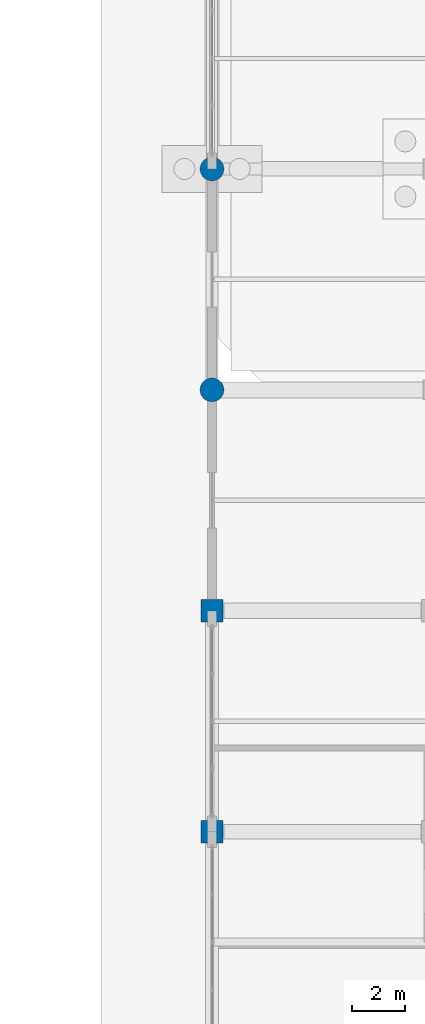
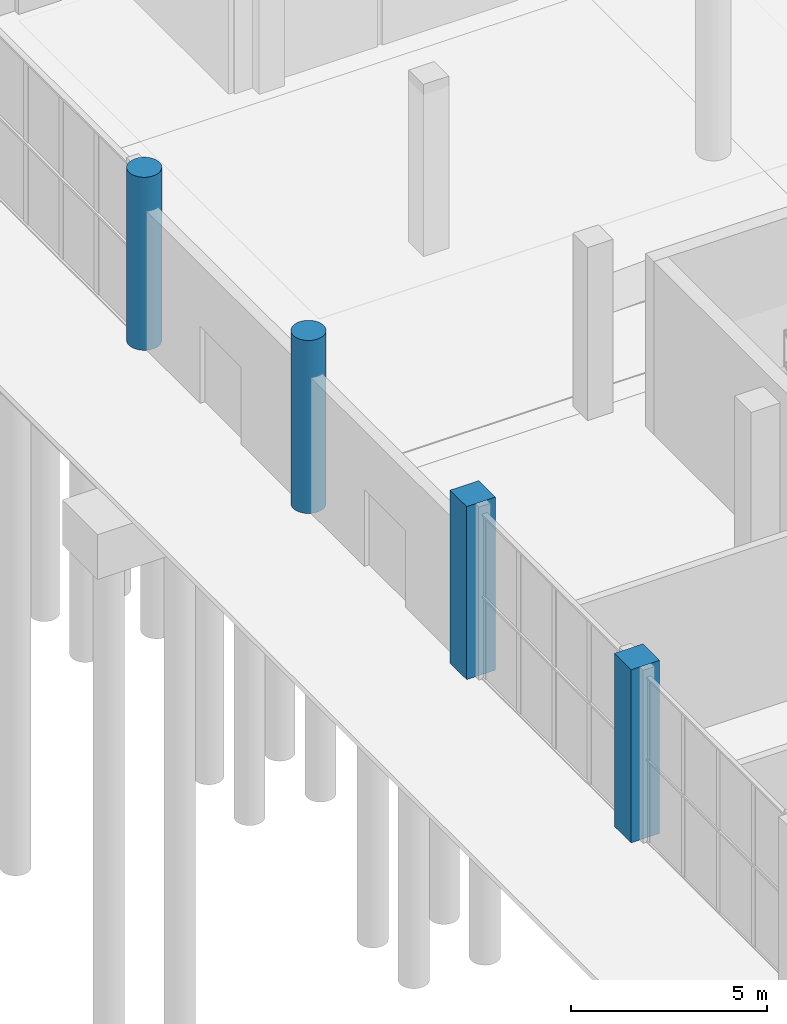
# One storey, part 16 of 82: 4 columns.
"""IFC4 building model written with IfcOpenShell, lengths in metres."""

from ifc_helpers import new_model, si_unit, derived_unit, direction, frame, origin, origin_2d, place, context, subcontext, project, spatial, rectangle, circle, extrude, material, material_profile, profile_set, type_object, element, save


model = new_model("IFC4")

# Units and contexts
model_context = context("Model", 3, precision=1e-05, world=origin(), true_north=direction((0.0, 1.0)))
body_context = subcontext(model_context, "Body", "Model", "MODEL_VIEW")
ifc_project = project(units=[si_unit("LENGTHUNIT", "METRE"), si_unit("AREAUNIT", "SQUARE_METRE"), si_unit("VOLUMEUNIT", "CUBIC_METRE"), si_unit("PLANEANGLEUNIT", "RADIAN"), si_unit("MASSUNIT", "GRAM", prefix="KILO"), derived_unit("THERMALTRANSMITTANCEUNIT", [(si_unit("POWERUNIT", "WATT"), 1), (si_unit("LENGTHUNIT", "METRE"), -2), (si_unit("THERMODYNAMICTEMPERATUREUNIT", "KELVIN"), -1)])], contexts=[model_context])

# Site, building, storey
site_placement = place(None, origin())
site = spatial("IfcSite", under=ifc_project, at=site_placement, CompositionType="ELEMENT")
building_placement = place(site_placement, origin())
building = spatial("IfcBuilding", under=site, at=building_placement, Name="Barrovel Congress Hotel", CompositionType="ELEMENT")
storey_placement = place(building_placement, origin())
storey = spatial("IfcBuildingStorey", under=building, at=storey_placement, Name="L00", CompositionType="ELEMENT", Elevation=0.0)

# Columns
ifc_material = material(Name="Concrete C40", Category="concrete")
ifc_material_profile_1 = material_profile(ifc_material, circle(Radius=0.449951171875, at=origin_2d()), Name="RC-D900")
ifc_profile_set_1 = profile_set([ifc_material_profile_1], Name="Concrete C40")
column_type_1 = type_object("IfcColumnType", Name="COL-RC-D900", PredefinedType="COLUMN", material=ifc_profile_set_1)
for number, where, z_axis, x_axis, name in (
    (1, (126.0, 79.800048828125, 0.0), (0.0, 0.0, 1.0), (1.0, 0.0, 0.0), "COL:L00:126.0:79.8"),
    (2, (126.0, 88.199951171875, 0.0), (0.0, 0.0, 1.0), (1.0, 0.0, 0.0), "COL:L00:126.0:88.2"),
):
    element("IfcColumn", number, at=place(storey_placement, frame(where, z_axis=z_axis, x_axis=x_axis)), inside=storey, type_object=column_type_1, Name=name, PredefinedType="COLUMN", context=body_context, shape_type="SweptSolid", body=[
        extrude(circle(Radius=0.449951171875, at=origin_2d()), origin(), (0.0, 0.0, 1.0), 5.39990234375),
    ])
ifc_material_profile_2 = material_profile(ifc_material, rectangle(XDim=0.85009765625, YDim=0.85009765625, at=origin_2d()), Name="RC850x850")
ifc_profile_set_2 = profile_set([ifc_material_profile_2], Name="Concrete C40")
column_type_2 = type_object("IfcColumnType", Name="COL-RC850x850", PredefinedType="COLUMN", material=ifc_profile_set_2)
for number, where, z_axis, x_axis, name in (
    (3, (126.0, 63.0, 0.0), (0.0, 0.0, 1.0), (1.0, 0.0, 0.0), "COL:L00:126.0:63.0"),
    (4, (126.0, 71.39990234375, 0.0), (0.0, 0.0, 1.0), (1.0, 0.0, 0.0), "COL:L00:126.0:71.4"),
):
    element("IfcColumn", number, at=place(storey_placement, frame(where, z_axis=z_axis, x_axis=x_axis)), inside=storey, type_object=column_type_2, Name=name, PredefinedType="COLUMN", context=body_context, shape_type="SweptSolid", body=[
        extrude(rectangle(XDim=0.85009765625, YDim=0.85009765625, at=origin_2d()), origin(), (0.0, 0.0, 1.0), 5.39990234375),
    ])

save(model, "model.ifc")
